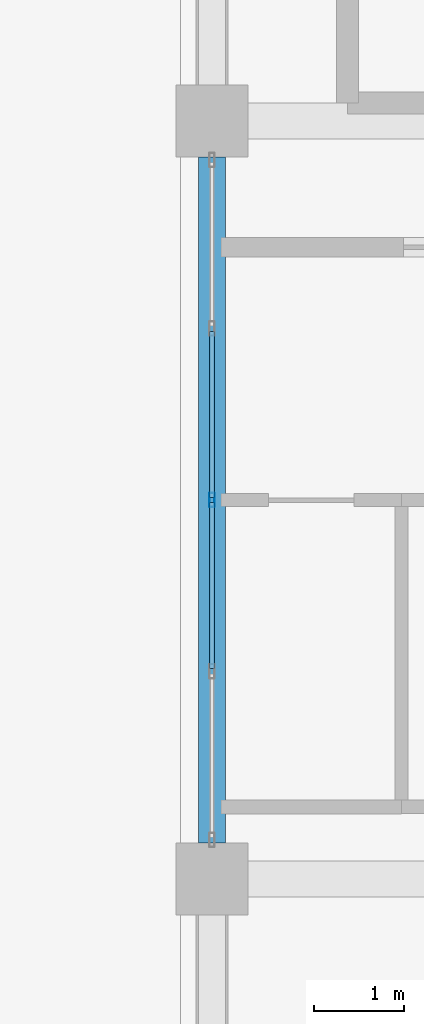
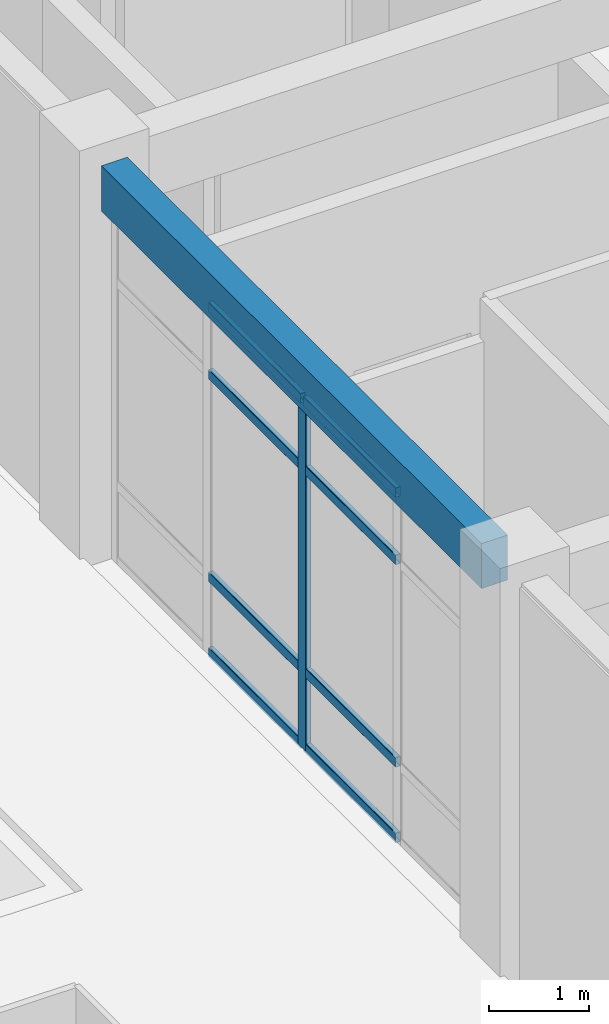
# One storey, part 63 of 124: 9 members, 1 beam, 1 element without a shape of its own.
"""IFC4 building model written with IfcOpenShell, lengths in metres."""

from ifc_helpers import new_model, si_unit, derived_unit, direction, frame, origin, origin_2d, place, context, subcontext, project, spatial, rectangle, hollow_rectangle, extrude, material, layer, layer_set, material_profile, profile_set, type_object, element, aggregate, save


model = new_model("IFC4")

# Units and contexts
model_context = context("Model", 3, precision=1e-05, world=origin(), true_north=direction((0.0, 1.0)))
body_context = subcontext(model_context, "Body", "Model", "MODEL_VIEW")
ifc_project = project(units=[si_unit("LENGTHUNIT", "METRE"), si_unit("AREAUNIT", "SQUARE_METRE"), si_unit("VOLUMEUNIT", "CUBIC_METRE"), si_unit("PLANEANGLEUNIT", "RADIAN"), si_unit("MASSUNIT", "GRAM", prefix="KILO"), derived_unit("THERMALTRANSMITTANCEUNIT", [(si_unit("MASSUNIT", "GRAM", prefix="KILO"), 1), (si_unit("TIMEUNIT", "SECOND"), -3), (si_unit("THERMODYNAMICTEMPERATUREUNIT", "KELVIN"), -1)])], contexts=[model_context])

# Site, building, storey
site_placement = place(None, origin())
site = spatial("IfcSite", under=ifc_project, at=site_placement, CompositionType="ELEMENT")
building_placement = place(site_placement, origin())
building = spatial("IfcBuilding", under=site, at=building_placement, Name="Qinzheling Arcade Emporium", CompositionType="ELEMENT")
storey_placement = place(building_placement, frame((0.0, 0.0, 16.5)))
storey = spatial("IfcBuildingStorey", under=building, at=storey_placement, Name="L04", CompositionType="ELEMENT", Elevation=16.5)

# Curtain wall, members
ifc_material_1 = material(Name="Anodised aluminium and solar-control double glazing", Category="aluminium")
ifc_layer = layer(ifc_material_1, 0.159912109375, Name="Anodised aluminium and solar-control double glazing", Category="aluminium")
ifc_layer_set = layer_set([ifc_layer], Name="Anodised aluminium and solar-control double glazing")
curtain_wall_type = type_object("IfcCurtainWallType", Name="Arcade Portal Glazed Curtain Wall", PredefinedType="NOTDEFINED", material=ifc_layer_set)
curtain_wall_placement = place(storey_placement, origin())
curtain_wall = element("IfcCurtainWall", 1, at=curtain_wall_placement, inside=storey, type_object=curtain_wall_type, Name="Curtain Wall CW-L04-261", PredefinedType="NOTDEFINED")
ifc_material_2 = material(Name="Anodised aluminium 6063-T6", Category="aluminium")
ifc_material_profile_1 = material_profile(ifc_material_2, hollow_rectangle(XDim=0.06005859375, YDim=0.159912109375, WallThickness=0.00390625, InnerFilletRadius=0.00390625, OuterFilletRadius=0.008056640625, at=origin_2d()), Name="RHS 160x60x4", Category="aluminium")
ifc_profile_set_1 = profile_set([ifc_material_profile_1], Name="Anodised aluminium 6063-T6")
member_type_1 = type_object("IfcMemberType", Name="Curtain Wall Mullion RHS160x60", PredefinedType="MULLION", material=ifc_profile_set_1)
member_1_placement = place(storey_placement, frame((104.39990234375, 94.800048828125, 0.0), z_axis=(0.0, 0.0, 1.0), x_axis=(-1.0, 0.0, 0.0)))
member_1 = element("IfcMember", 2, at=member_1_placement, type_object=member_type_1, Name="CW05 mullion 3", PredefinedType="MULLION", context=body_context, shape_type="SweptSolid", body=[
    extrude(hollow_rectangle(XDim=0.06005859375, YDim=0.159912109375, WallThickness=0.00390625, InnerFilletRadius=0.00390625, OuterFilletRadius=0.008056640625, at=origin_2d()), origin(), (0.0, 0.0, 1.0), 4.27001953125),
])
ifc_material_profile_2 = material_profile(ifc_material_2, hollow_rectangle(XDim=0.06005859375, YDim=0.1201171875, WallThickness=0.00390625, InnerFilletRadius=0.00390625, OuterFilletRadius=0.008056640625, at=origin_2d()), Name="RHS 120x60x4", Category="aluminium")
ifc_profile_set_2 = profile_set([ifc_material_profile_2], Name="Anodised aluminium 6063-T6")
member_type_2 = type_object("IfcMemberType", Name="Curtain Wall Transom RHS120x60", PredefinedType="USERDEFINED", material=ifc_profile_set_2)
member_2_placement = place(storey_placement, frame((104.39990234375, 92.930908203125, 0.030029296875), z_axis=(0.0, 1.0, 0.0), x_axis=(-1.0, 0.0, 0.0)))
member_2 = element("IfcMember", 3, at=member_2_placement, type_object=member_type_2, Name="CW05 transom 2.1", ObjectType="TRANSOM", PredefinedType="USERDEFINED", context=body_context, shape_type="SweptSolid", body=[
    extrude(hollow_rectangle(XDim=0.06005859375, YDim=0.1201171875, WallThickness=0.00390625, InnerFilletRadius=0.00390625, OuterFilletRadius=0.008056640625, at=origin_2d()), origin(), (0.0, 0.0, 1.0), 1.839111328125),
])
member_3_placement = place(storey_placement, frame((104.39990234375, 92.930908203125, 0.949951171875), z_axis=(0.0, 1.0, 0.0), x_axis=(-1.0, 0.0, 0.0)))
member_3 = element("IfcMember", 4, at=member_3_placement, type_object=member_type_2, Name="CW05 transom 2.2", ObjectType="TRANSOM", PredefinedType="USERDEFINED", context=body_context, shape_type="SweptSolid", body=[
    extrude(hollow_rectangle(XDim=0.06005859375, YDim=0.1201171875, WallThickness=0.00390625, InnerFilletRadius=0.00390625, OuterFilletRadius=0.008056640625, at=origin_2d()), origin(), (0.0, 0.0, 1.0), 1.839111328125),
])
member_4_placement = place(storey_placement, frame((104.39990234375, 92.930908203125, 3.419921875), z_axis=(0.0, 1.0, 0.0), x_axis=(-1.0, 0.0, 0.0)))
member_4 = element("IfcMember", 5, at=member_4_placement, type_object=member_type_2, Name="CW05 transom 2.3", ObjectType="TRANSOM", PredefinedType="USERDEFINED", context=body_context, shape_type="SweptSolid", body=[
    extrude(hollow_rectangle(XDim=0.06005859375, YDim=0.1201171875, WallThickness=0.00390625, InnerFilletRadius=0.00390625, OuterFilletRadius=0.008056640625, at=origin_2d()), origin(), (0.0, 0.0, 1.0), 1.839111328125),
])
member_5_placement = place(storey_placement, frame((104.39990234375, 92.930908203125, 4.239990234375), z_axis=(0.0, 1.0, 0.0), x_axis=(-1.0, 0.0, 0.0)))
member_5 = element("IfcMember", 6, at=member_5_placement, type_object=member_type_2, Name="CW05 transom 2.4", ObjectType="TRANSOM", PredefinedType="USERDEFINED", context=body_context, shape_type="SweptSolid", body=[
    extrude(hollow_rectangle(XDim=0.06005859375, YDim=0.1201171875, WallThickness=0.00390625, InnerFilletRadius=0.00390625, OuterFilletRadius=0.008056640625, at=origin_2d()), origin(), (0.0, 0.0, 1.0), 1.839111328125),
])
member_6_placement = place(storey_placement, frame((104.39990234375, 94.830078125, 0.030029296875), z_axis=(0.0, 1.0, 0.0), x_axis=(-1.0, 0.0, 0.0)))
member_6 = element("IfcMember", 7, at=member_6_placement, type_object=member_type_2, Name="CW05 transom 3.1", ObjectType="TRANSOM", PredefinedType="USERDEFINED", context=body_context, shape_type="SweptSolid", body=[
    extrude(hollow_rectangle(XDim=0.06005859375, YDim=0.1201171875, WallThickness=0.00390625, InnerFilletRadius=0.00390625, OuterFilletRadius=0.008056640625, at=origin_2d()), origin(), (0.0, 0.0, 1.0), 1.8388671875),
])
member_7_placement = place(storey_placement, frame((104.39990234375, 94.830078125, 0.949951171875), z_axis=(0.0, 1.0, 0.0), x_axis=(-1.0, 0.0, 0.0)))
member_7 = element("IfcMember", 8, at=member_7_placement, type_object=member_type_2, Name="CW05 transom 3.2", ObjectType="TRANSOM", PredefinedType="USERDEFINED", context=body_context, shape_type="SweptSolid", body=[
    extrude(hollow_rectangle(XDim=0.06005859375, YDim=0.1201171875, WallThickness=0.00390625, InnerFilletRadius=0.00390625, OuterFilletRadius=0.008056640625, at=origin_2d()), origin(), (0.0, 0.0, 1.0), 1.8388671875),
])
member_8_placement = place(storey_placement, frame((104.39990234375, 94.830078125, 3.419921875), z_axis=(0.0, 1.0, 0.0), x_axis=(-1.0, 0.0, 0.0)))
member_8 = element("IfcMember", 9, at=member_8_placement, type_object=member_type_2, Name="CW05 transom 3.3", ObjectType="TRANSOM", PredefinedType="USERDEFINED", context=body_context, shape_type="SweptSolid", body=[
    extrude(hollow_rectangle(XDim=0.06005859375, YDim=0.1201171875, WallThickness=0.00390625, InnerFilletRadius=0.00390625, OuterFilletRadius=0.008056640625, at=origin_2d()), origin(), (0.0, 0.0, 1.0), 1.8388671875),
])
member_9_placement = place(storey_placement, frame((104.39990234375, 94.830078125, 4.239990234375), z_axis=(0.0, 1.0, 0.0), x_axis=(-1.0, 0.0, 0.0)))
member_9 = element("IfcMember", 10, at=member_9_placement, type_object=member_type_2, Name="CW05 transom 3.4", ObjectType="TRANSOM", PredefinedType="USERDEFINED", context=body_context, shape_type="SweptSolid", body=[
    extrude(hollow_rectangle(XDim=0.06005859375, YDim=0.1201171875, WallThickness=0.00390625, InnerFilletRadius=0.00390625, OuterFilletRadius=0.008056640625, at=origin_2d()), origin(), (0.0, 0.0, 1.0), 1.8388671875),
])
aggregate(curtain_wall, [member_1, member_2, member_3, member_4, member_5, member_6, member_7, member_8, member_9])

# Beam
ifc_material_3 = material(Name="Concrete C40", Category="concrete")
ifc_material_profile_3 = material_profile(ifc_material_3, rectangle(XDim=0.300048828125, YDim=0.550048828125, at=origin_2d()), Name="RC 300x550", Category="concrete")
ifc_profile_set_3 = profile_set([ifc_material_profile_3], Name="Concrete C40")
beam_type = type_object("IfcBeamType", Name="RC Terrace Spandrel Beam 300x550 C40", PredefinedType="SPANDREL", material=ifc_profile_set_3)
beam_placement = place(storey_placement, frame((104.39990234375, 91.0, 4.56005859375), z_axis=(0.0, 1.0, 0.0), x_axis=(-1.0, 0.0, 0.0)))
element("IfcBeam", 11, at=beam_placement, inside=storey, type_object=beam_type, Name="Beam BM-L04-Y-13-L", PredefinedType="SPANDREL", context=body_context, shape_type="SweptSolid", body=[
    extrude(rectangle(XDim=0.300048828125, YDim=0.550048828125, at=origin_2d()), origin(), (0.0, 0.0, 1.0), 7.60009765625),
])

save(model, "model.ifc")
